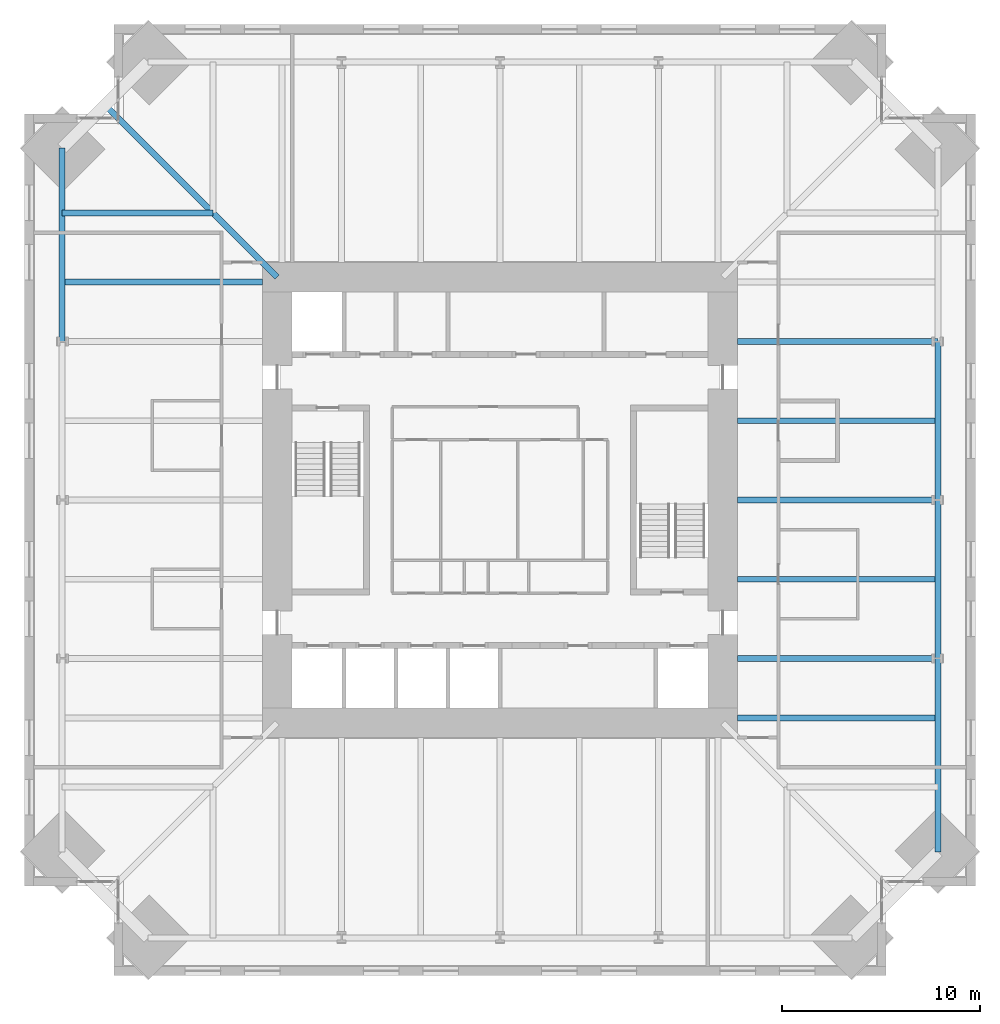
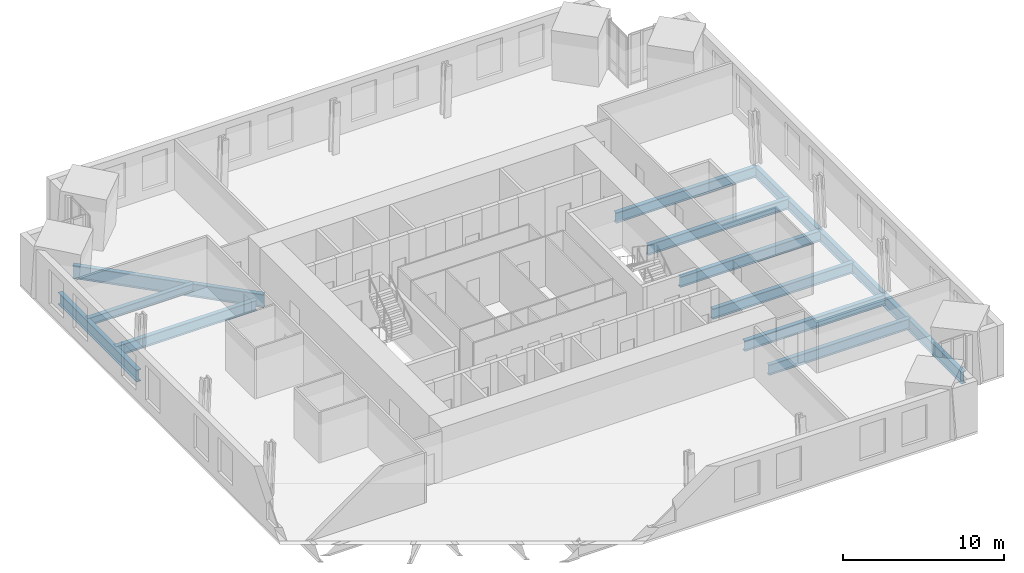
# One storey, part 5 of 15: 13 beams.
"""IFC4 building model written with IfcOpenShell, lengths in metres."""

from ifc_helpers import new_model, si_unit, direction, frame, origin, origin_2d, place, context, subcontext, project, spatial, i_section, extrude, material, material_profile, profile_set, type_object, element, save


model = new_model("IFC4")

# Units and contexts
model_context = context("Model", 3, precision=1e-05, world=origin(), true_north=direction((0.0, 1.0)))
body_context = subcontext(model_context, "Body", "Model", "MODEL_VIEW")
ifc_project = project(units=[si_unit("LENGTHUNIT", "METRE"), si_unit("AREAUNIT", "SQUARE_METRE"), si_unit("VOLUMEUNIT", "CUBIC_METRE"), si_unit("PLANEANGLEUNIT", "RADIAN"), si_unit("MASSUNIT", "GRAM", prefix="KILO")], contexts=[model_context])

# Site, building, storey
site_placement = place(None, origin())
site = spatial("IfcSite", under=ifc_project, at=site_placement, CompositionType="ELEMENT")
building_placement = place(site_placement, origin())
building = spatial("IfcBuilding", under=site, at=building_placement, Name="Peilmerk Tower", CompositionType="ELEMENT")
storey_placement = place(building_placement, frame((0.0, 0.0, 217.800048828125)))
storey = spatial("IfcBuildingStorey", under=building, at=storey_placement, Name="L47", CompositionType="ELEMENT", Elevation=217.800048828125)

# Beams
ifc_material = material(Name="Steel S355", Category="steel")
ifc_material_profile_1 = material_profile(ifc_material, i_section(OverallWidth=0.302978515625, OverallDepth=0.81396484375, WebThickness=0.02099609375, FlangeThickness=0.0400390625, at=origin_2d()), Name="HEM 800")
ifc_profile_set_1 = profile_set([ifc_material_profile_1], Name="Steel S355")
beam_type_1 = type_object("IfcBeamType", Name="B15 HEM 800 edge beam", PredefinedType="SPANDREL", material=ifc_profile_set_1)
for number, where, z_axis, x_axis, name in (
    (1, (22.114501953125, -8.0, -0.5771484375), (0.0, 1.0, 0.0), (-1.0, 0.0, 0.0), "Edge beam L47"),
    (2, (22.114501953125, 0.0, -0.5771484375), (0.0, 1.0, 0.0), (-1.0, 0.0, 0.0), "Edge beam L47"),
):
    element("IfcBeam", number, at=place(storey_placement, frame(where, z_axis=z_axis, x_axis=x_axis)), inside=storey, type_object=beam_type_1, Name=name, PredefinedType="SPANDREL", context=body_context, shape_type="SweptSolid", body=[
        extrude(i_section(OverallWidth=0.302978515625, OverallDepth=0.81396484375, WebThickness=0.02099609375, FlangeThickness=0.0400390625, at=origin_2d()), origin(), (0.0, 0.0, 1.0), 8.0),
    ])
ifc_material_profile_2 = material_profile(ifc_material, i_section(OverallWidth=0.302001953125, OverallDepth=0.909912109375, WebThickness=0.02099609375, FlangeThickness=0.0400390625, at=origin_2d()), Name="HEM 900")
ifc_profile_set_2 = profile_set([ifc_material_profile_2], Name="Steel S355")
beam_type_2 = type_object("IfcBeamType", Name="B2 HEM 900 edge beam", PredefinedType="SPANDREL", material=ifc_profile_set_2)
for number, where, z_axis, x_axis, name in (
    (3, (22.114501953125, -17.764404296875, -0.625), (0.0, 1.0, 0.0), (-1.0, 0.0, 0.0), "Edge beam L47"),
    (4, (-22.114501953125, 17.764404296875, -0.625), (0.0, -1.0, 0.0), (1.0, 0.0, 0.0), "Edge beam L47"),
):
    element("IfcBeam", number, at=place(storey_placement, frame(where, z_axis=z_axis, x_axis=x_axis)), inside=storey, type_object=beam_type_2, Name=name, PredefinedType="SPANDREL", context=body_context, shape_type="SweptSolid", body=[
        extrude(i_section(OverallWidth=0.302001953125, OverallDepth=0.909912109375, WebThickness=0.02099609375, FlangeThickness=0.0400390625, at=origin_2d()), origin(), (0.0, 0.0, 1.0), 9.764404296875),
    ])
ifc_material_profile_3 = material_profile(ifc_material, i_section(OverallWidth=0.300048828125, OverallDepth=0.590087890625, WebThickness=0.012939453125, FlangeThickness=0.02490234375, at=origin_2d()), Name="HEA 600")
ifc_profile_set_3 = profile_set([ifc_material_profile_3], Name="Steel S355")
beam_type_3 = type_object("IfcBeamType", Name="B27 HEA 600 floor beam", PredefinedType="BEAM", material=ifc_profile_set_3)
beam_1_placement = place(storey_placement, frame((-14.5, 14.5, -0.465087890625), z_axis=(-1.0, 0.0, 0.0), x_axis=(0.0, -1.0, 0.0)))
element("IfcBeam", 5, at=beam_1_placement, inside=storey, type_object=beam_type_3, Name="Floor beam L47", PredefinedType="BEAM", context=body_context, shape_type="SweptSolid", body=[
    extrude(i_section(OverallWidth=0.300048828125, OverallDepth=0.590087890625, WebThickness=0.012939453125, FlangeThickness=0.02490234375, at=origin_2d()), origin(), (0.0, 0.0, 1.0), 7.614501953125),
])
ifc_material_profile_4 = material_profile(ifc_material, i_section(OverallWidth=0.300048828125, OverallDepth=0.7900390625, WebThickness=0.014892578125, FlangeThickness=0.028076171875, at=origin_2d()), Name="HEA 800")
ifc_profile_set_4 = profile_set([ifc_material_profile_4], Name="Steel S355")
beam_type_4 = type_object("IfcBeamType", Name="B3 HEA 800 floor beam", PredefinedType="BEAM", material=ifc_profile_set_4)
for number, where, z_axis, x_axis, name in (
    (6, (12.0, -11.0, -0.56494140625), (1.0, 0.0, 0.0), (0.0, 1.0, 0.0), "Floor beam L47"),
    (7, (12.0, -8.0, -0.56494140625), (1.0, 0.0, 0.0), (0.0, 1.0, 0.0), "Floor beam L47"),
    (8, (12.0, -4.0, -0.56494140625), (1.0, 0.0, 0.0), (0.0, 1.0, 0.0), "Floor beam L47"),
    (9, (12.0, 0.0, -0.56494140625), (1.0, 0.0, 0.0), (0.0, 1.0, 0.0), "Floor beam L47"),
    (10, (12.0, 4.0, -0.56494140625), (1.0, 0.0, 0.0), (0.0, 1.0, 0.0), "Floor beam L47"),
    (11, (12.0, 8.0, -0.56494140625), (1.0, 0.0, 0.0), (0.0, 1.0, 0.0), "Floor beam L47"),
    (12, (-12.0, 11.0, -0.56494140625), (-1.0, 0.0, 0.0), (0.0, -1.0, 0.0), "Floor beam L47"),
):
    element("IfcBeam", number, at=place(storey_placement, frame(where, z_axis=z_axis, x_axis=x_axis)), inside=storey, type_object=beam_type_4, Name=name, PredefinedType="BEAM", context=body_context, shape_type="SweptSolid", body=[
        extrude(i_section(OverallWidth=0.300048828125, OverallDepth=0.7900390625, WebThickness=0.014892578125, FlangeThickness=0.028076171875, at=origin_2d()), origin(), (0.0, 0.0, 1.0), 10.114501953125),
    ])
ifc_material_profile_5 = material_profile(ifc_material, i_section(OverallWidth=0.300048828125, OverallDepth=1.0, WebThickness=0.01904296875, FlangeThickness=0.035888671875, at=origin_2d()), Name="HEB 1000")
ifc_profile_set_5 = profile_set([ifc_material_profile_5], Name="Steel S355")
beam_type_5 = type_object("IfcBeamType", Name="B5 HEB 1000 floor girder", PredefinedType="BEAM", material=ifc_profile_set_5)
beam_2_placement = place(storey_placement, frame((-11.25, 11.25, -0.670166015625), z_axis=(-0.707106781187, 0.707106781187, 0.0), x_axis=(-0.707106781187, -0.707106781187, 0.0)))
element("IfcBeam", 13, at=beam_2_placement, inside=storey, type_object=beam_type_5, Name="Corner girder L47", PredefinedType="BEAM", context=body_context, shape_type="SweptSolid", body=[
    extrude(i_section(OverallWidth=0.300048828125, OverallDepth=1.0, WebThickness=0.01904296875, FlangeThickness=0.035888671875, at=origin_2d()), origin(), (0.0, 0.0, 1.0), 12.288818359375),
])

save(model, "model.ifc")
